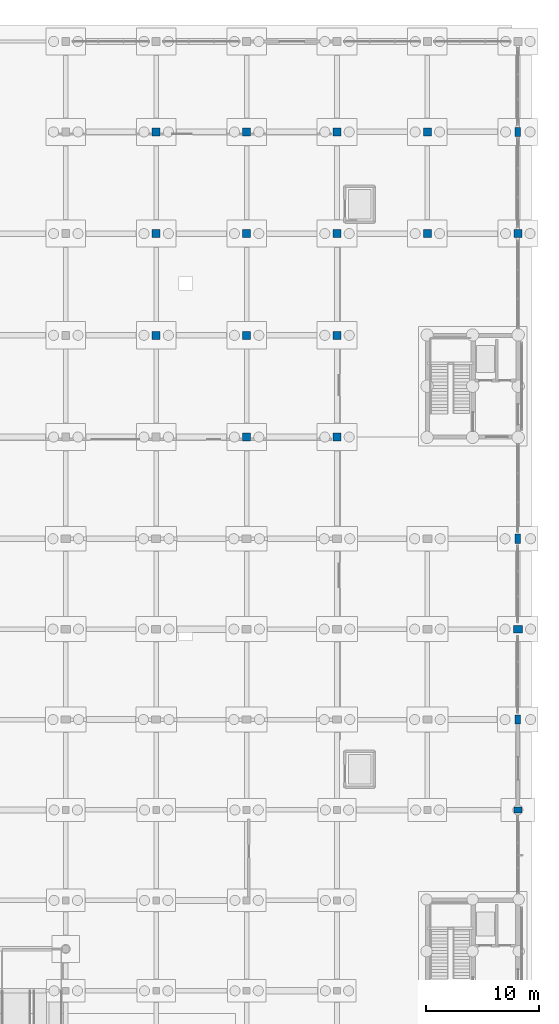
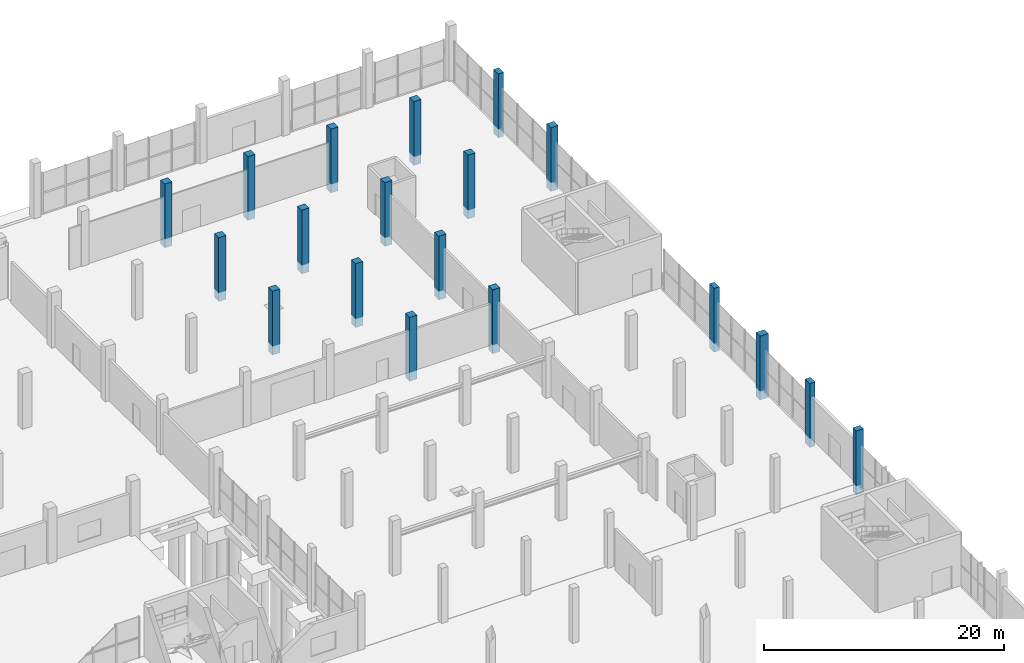
# One storey, part 30 of 98: 19 columns.
"""IFC4 building model written with IfcOpenShell, lengths in metres."""

from ifc_helpers import new_model, si_unit, derived_unit, direction, frame, origin, origin_2d, place, context, subcontext, project, spatial, rectangle, extrude, material, material_profile, profile_set, type_object, element, save


model = new_model("IFC4")

# Units and contexts
model_context = context("Model", 3, precision=1e-05, world=origin(), true_north=direction((0.0, 1.0)))
body_context = subcontext(model_context, "Body", "Model", "MODEL_VIEW")
ifc_project = project(units=[si_unit("LENGTHUNIT", "METRE"), si_unit("AREAUNIT", "SQUARE_METRE"), si_unit("VOLUMEUNIT", "CUBIC_METRE"), si_unit("PLANEANGLEUNIT", "RADIAN"), si_unit("MASSUNIT", "GRAM", prefix="KILO"), si_unit("THERMODYNAMICTEMPERATUREUNIT", "KELVIN"), derived_unit("THERMALTRANSMITTANCEUNIT", [(si_unit("POWERUNIT", "WATT"), 1), (si_unit("AREAUNIT", "SQUARE_METRE"), -1), (si_unit("THERMODYNAMICTEMPERATUREUNIT", "KELVIN"), -1)])], contexts=[model_context])

# Site, building, storey
site_placement = place(None, origin())
site = spatial("IfcSite", under=ifc_project, at=site_placement, CompositionType="ELEMENT")
building_placement = place(site_placement, origin())
building = spatial("IfcBuilding", under=site, at=building_placement, Name="Haiyu Intermodal Mobility Hub", CompositionType="ELEMENT")
storey_placement = place(building_placement, origin())
storey = spatial("IfcBuildingStorey", under=building, at=storey_placement, Name="L00", CompositionType="ELEMENT", Elevation=0.0)

# Columns
ifc_material_1 = material(Name="Concrete C40", Category="concrete")
ifc_material_profile_1 = material_profile(ifc_material_1, rectangle(XDim=0.699951171875, YDim=0.699951171875, at=origin_2d()), Name="RC700x700")
ifc_profile_set_1 = profile_set([ifc_material_profile_1], Name="Concrete C40")
column_type_1 = type_object("IfcColumnType", Name="COL-CC08", PredefinedType="COLUMN", material=ifc_profile_set_1)
for number, where, z_axis, x_axis, name in (
    (1, (178.0, 122.0, -0.89990234375), (0.0, 0.0, 1.0), (1.0, 0.0, 0.0), "Column V6-20P L00"),
    (2, (178.0, 131.0, -0.89990234375), (0.0, 0.0, 1.0), (1.0, 0.0, 0.0), "Column V6-20Q L00"),
    (3, (178.0, 140.0, -0.89990234375), (0.0, 0.0, 1.0), (1.0, 0.0, 0.0), "Column V6-20R L00"),
    (4, (186.0, 113.0, -0.89990234375), (0.0, 0.0, 1.0), (1.0, 0.0, 0.0), "Column V6-21N L00"),
    (5, (186.0, 122.0, -0.89990234375), (0.0, 0.0, 1.0), (1.0, 0.0, 0.0), "Column V6-21P L00"),
    (6, (186.0, 131.0, -0.89990234375), (0.0, 0.0, 1.0), (1.0, 0.0, 0.0), "Column V6-21Q L00"),
    (7, (186.0, 140.0, -0.89990234375), (0.0, 0.0, 1.0), (1.0, 0.0, 0.0), "Column V6-21R L00"),
    (8, (194.0, 113.0, -0.89990234375), (0.0, 0.0, 1.0), (1.0, 0.0, 0.0), "Column V6-22N L00"),
    (9, (194.0, 122.0, -0.89990234375), (0.0, 0.0, 1.0), (1.0, 0.0, 0.0), "Column V6-22P L00"),
    (10, (194.0, 131.0, -0.89990234375), (0.0, 0.0, 1.0), (1.0, 0.0, 0.0), "Column V6-22Q L00"),
    (11, (194.0, 140.0, -0.89990234375), (0.0, 0.0, 1.0), (1.0, 0.0, 0.0), "Column V6-22R L00"),
    (12, (202.0, 131.0, -0.89990234375), (0.0, 0.0, 1.0), (1.0, 0.0, 0.0), "Column V6-23Q L00"),
    (13, (202.0, 140.0, -0.89990234375), (0.0, 0.0, 1.0), (1.0, 0.0, 0.0), "Column V6-23R L00"),
):
    element("IfcColumn", number, at=place(storey_placement, frame(where, z_axis=z_axis, x_axis=x_axis)), inside=storey, type_object=column_type_1, Name=name, PredefinedType="COLUMN", context=body_context, shape_type="SweptSolid", body=[
        extrude(rectangle(XDim=0.699951171875, YDim=0.699951171875, at=origin_2d()), origin(), (0.0, 0.0, 1.0), 6.5),
    ])
ifc_material_profile_2 = material_profile(ifc_material_1, rectangle(XDim=0.699951171875, YDim=0.699951171875, at=origin_2d()), Name="RC700x700")
ifc_profile_set_2 = profile_set([ifc_material_profile_2], Name="Concrete C40")
column_type_2 = type_object("IfcColumnType", Name="COL-CC08-EXT", PredefinedType="COLUMN", material=ifc_profile_set_2)
column_1_placement = place(storey_placement, frame((210.0, 131.0, -0.89990234375), z_axis=(0.0, 0.0, 1.0), x_axis=(1.0, 0.0, 0.0)))
element("IfcColumn", 14, at=column_1_placement, inside=storey, type_object=column_type_2, Name="Column V6-24Q L00", PredefinedType="COLUMN", context=body_context, shape_type="SweptSolid", body=[
    extrude(rectangle(XDim=0.699951171875, YDim=0.699951171875, at=origin_2d()), origin(), (0.0, 0.0, 1.0), 6.5),
])
ifc_material_profile_3 = material_profile(ifc_material_1, rectangle(XDim=0.800048828125, YDim=0.64990234375, at=origin_2d()), Name="C800x650")
ifc_profile_set_3 = profile_set([ifc_material_profile_3], Name="Concrete C40")
column_type_3 = type_object("IfcColumnType", Name="COL-CC14-EXT", PredefinedType="COLUMN", material=ifc_profile_set_3)
column_2_placement = place(storey_placement, frame((210.0, 96.0, -0.89990234375), z_axis=(0.0, 0.0, 1.0), x_axis=(1.0, 0.0, 0.0)))
element("IfcColumn", 15, at=column_2_placement, inside=storey, type_object=column_type_3, Name="Column V6-24L L00", PredefinedType="COLUMN", context=body_context, shape_type="SweptSolid", body=[
    extrude(rectangle(XDim=0.800048828125, YDim=0.64990234375, at=origin_2d()), origin(), (0.0, 0.0, 1.0), 6.5),
])
ifc_material_profile_4 = material_profile(ifc_material_1, rectangle(XDim=0.699951171875, YDim=0.550048828125, at=origin_2d()), Name="C700x550")
ifc_profile_set_4 = profile_set([ifc_material_profile_4], Name="Concrete C40")
column_type_4 = type_object("IfcColumnType", Name="COL-CC16-EXT", PredefinedType="COLUMN", material=ifc_profile_set_4)
column_3_placement = place(storey_placement, frame((210.0, 80.0, -0.89990234375), z_axis=(0.0, 0.0, 1.0), x_axis=(1.0, 0.0, 0.0)))
element("IfcColumn", 16, at=column_3_placement, inside=storey, type_object=column_type_4, Name="Column V5-24J L00", PredefinedType="COLUMN", context=body_context, shape_type="SweptSolid", body=[
    extrude(rectangle(XDim=0.699951171875, YDim=0.550048828125, at=origin_2d()), origin(), (0.0, 0.0, 1.0), 6.5),
])
ifc_material_2 = material(Name="Precast concrete C40", Category="concrete")
ifc_material_profile_5 = material_profile(ifc_material_2, rectangle(XDim=0.5, YDim=0.800048828125, at=origin_2d()), Name="RC500x800")
ifc_profile_set_5 = profile_set([ifc_material_profile_5], Name="Precast concrete C40")
column_type_5 = type_object("IfcColumnType", Name="COL-PL11-EXT", PredefinedType="PILASTER", material=ifc_profile_set_5)
for number, where, z_axis, x_axis, name in (
    (17, (210.0, 88.0, -0.89990234375), (0.0, 0.0, 1.0), (1.0, 0.0, 0.0), "Column V6-24K L00"),
    (18, (210.0, 104.0, -0.89990234375), (0.0, 0.0, 1.0), (1.0, 0.0, 0.0), "Column V6-24M L00"),
    (19, (210.0, 140.0, -0.89990234375), (0.0, 0.0, 1.0), (1.0, 0.0, 0.0), "Column V6-24R L00"),
):
    element("IfcColumn", number, at=place(storey_placement, frame(where, z_axis=z_axis, x_axis=x_axis)), inside=storey, type_object=column_type_5, Name=name, PredefinedType="PILASTER", context=body_context, shape_type="SweptSolid", body=[
        extrude(rectangle(XDim=0.5, YDim=0.800048828125, at=origin_2d()), origin(), (0.0, 0.0, 1.0), 6.5),
    ])

save(model, "model.ifc")
